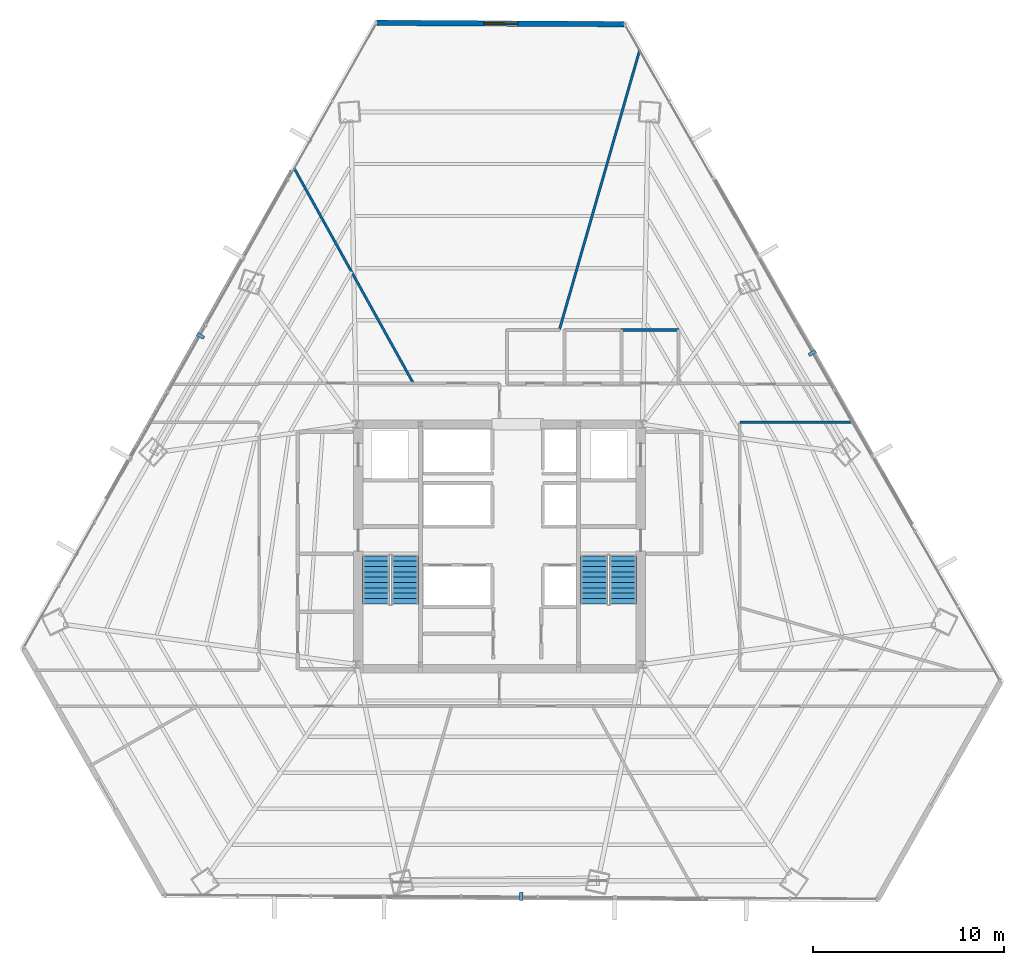
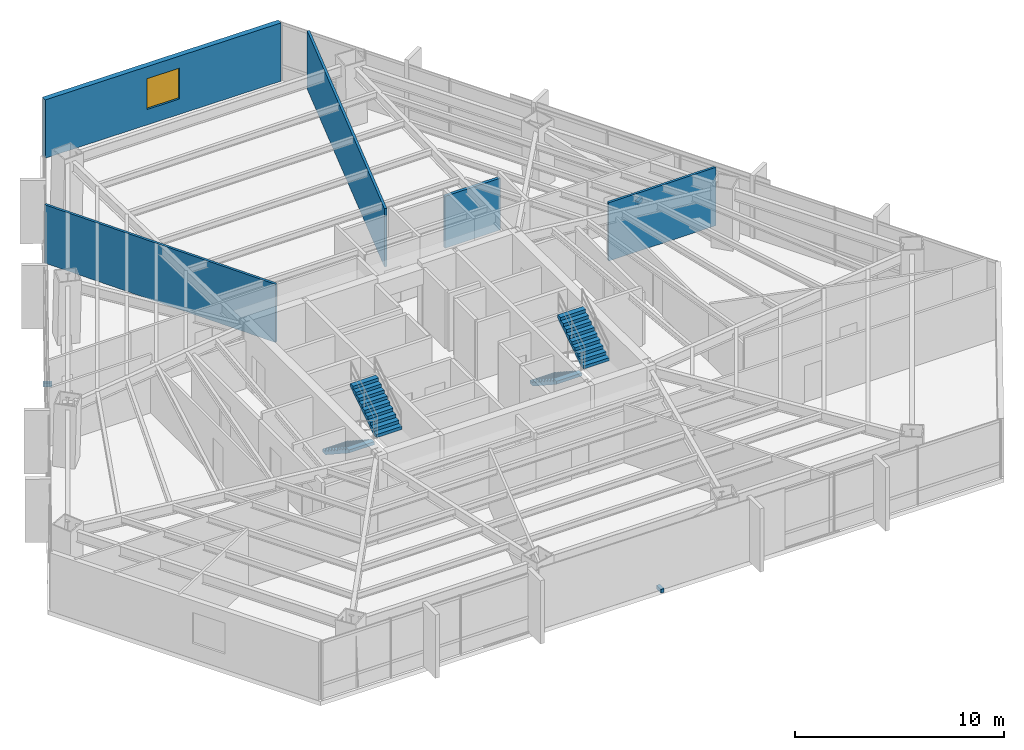
# One storey, part 32 of 35: 5 walls, 4 stair flights, 3 discrete accessories, 1 window, 1 opening, 2 elements without a shape of their own.
"""IFC4 building model written with IfcOpenShell, lengths in metres."""

from ifc_helpers import new_model, si_unit, direction, frame, frame_2d, origin, origin_2d, place, context, subcontext, project, spatial, polyline, rectangle, outline, extrude, source, transform, mapped, material, layer, layer_set, type_object, type_shapes, element, fill, aggregate, save


model = new_model("IFC4")

# Units and contexts
model_context = context("Model", 3, precision=1e-05, world=origin(), true_north=direction((0.0, 1.0)))
body_context = subcontext(model_context, "Body", "Model", "MODEL_VIEW")
ifc_project = project(units=[si_unit("LENGTHUNIT", "METRE"), si_unit("AREAUNIT", "SQUARE_METRE"), si_unit("VOLUMEUNIT", "CUBIC_METRE"), si_unit("PLANEANGLEUNIT", "RADIAN"), si_unit("MASSUNIT", "GRAM", prefix="KILO")], contexts=[model_context])

# Site, building, storey
site_placement = place(None, origin())
site = spatial("IfcSite", under=ifc_project, at=site_placement, CompositionType="ELEMENT")
building_placement = place(site_placement, origin())
building = spatial("IfcBuilding", under=site, at=building_placement, Name="Caelisora Broadcast Tower", CompositionType="ELEMENT")
storey_placement = place(building_placement, frame((0.0, 0.0, 87.14990234375)))
storey = spatial("IfcBuildingStorey", under=building, at=storey_placement, Name="L22", CompositionType="ELEMENT", Elevation=87.14990234375)

# Wall, opening, window
ifc_material_1 = material(Name="Insulated Terracotta Spandrel Wall System", Category="masonry")
ifc_layer_1 = layer(ifc_material_1, 0.280029296875, Name="Insulated Terracotta Spandrel Wall System")
ifc_layer_set_1 = layer_set([ifc_layer_1], Name="Insulated Terracotta Spandrel Wall System")
wall_type_1 = type_object("IfcWallType", Name="EW1", PredefinedType="STANDARD", material=ifc_layer_set_1)
wall_1_placement = place(storey_placement, frame((31.5849609375, 51.056884765625, 0.0), z_axis=(0.0, 0.0, 1.0), x_axis=(0.999984651897, -0.005540394385, 0.0)))
wall_1 = element("IfcWall", 1, at=wall_1_placement, inside=storey, type_object=wall_type_1, Name="L22 exterior envelope wall EW1", PredefinedType="STANDARD", context=body_context, shape_type="SweptSolid", body=[
    extrude(rectangle(XDim=12.955322265625, YDim=0.280029296875, at=frame_2d((6.4775390625, 0.0))), origin(), (0.0, 0.0, 1.0), 3.400146484375),
])
opening_placement = place(wall_1_placement, frame((5.580078125, 0.0, 0.89990234375)))
opening = element("IfcOpeningElement", 2, at=opening_placement, cuts=wall_1, Name="Opening W01", PredefinedType="OPENING", context=body_context, shape_type="SweptSolid", body=[
    extrude(rectangle(XDim=1.800048828125, YDim=1.800048828125, at=frame_2d((0.89990234375, 0.89990234375))), frame((0.0, 0.152099609375, 0.0), z_axis=(0.0, -1.0, 0.0), x_axis=(1.0, 0.0, 0.0)), (0.0, 0.0, 1.0), 0.303955078125),
])
ifc_material_2 = material(Name="Double Glazed Terracotta-Framed Vision Window", Category="glass")
window_type = type_object("IfcWindowType", Name="W01", PartitioningType="SINGLE_PANEL", PredefinedType="WINDOW", material=ifc_material_2)
window_placement = place(opening_placement, origin())
window = element("IfcWindow", 3, at=window_placement, inside=storey, type_object=window_type, Name="L22 window W01 (L22-WN-CH8)", OverallHeight=1.800048828125, OverallWidth=1.800048828125, PartitioningType="SINGLE_PANEL", PredefinedType="WINDOW", context=body_context, shape_type="SweptSolid", body=[
    extrude(rectangle(XDim=1.800048828125, YDim=1.800048828125, at=frame_2d((0.89990234375, 0.89990234375))), frame((0.0, 0.030029296875, 0.0), z_axis=(0.0, -1.0, 0.0), x_axis=(1.0, 0.0, 0.0)), (0.0, 0.0, 1.0), 0.06005859375),
])
fill(opening, window)

# Walls
ifc_material_3 = material(Name="Acoustic Steel-Stud Plasterboard Partition", Category="gypsum")
ifc_layer_2 = layer(ifc_material_3, 0.1298828125, Name="Acoustic Steel-Stud Plasterboard Partition")
ifc_layer_set_2 = layer_set([ifc_layer_2], Name="Acoustic Steel-Stud Plasterboard Partition")
wall_type_2 = type_object("IfcWallType", Name="PW3", PredefinedType="PARTITIONING", material=ifc_layer_set_2)
wall_2_placement = place(storey_placement, frame((41.14111328125, 34.955078125, 0.0), z_axis=(0.0, 0.0, 1.0), x_axis=(0.275853145279, 0.961199793092, 0.0)))
element("IfcWall", 4, at=wall_2_placement, inside=storey, type_object=wall_type_2, Name="L22 internal partition PW3", PredefinedType="PARTITIONING", context=body_context, shape_type="SweptSolid", body=[
    extrude(rectangle(XDim=15.26513671875, YDim=0.1298828125, at=frame_2d((7.632568359375, 0.0))), origin(), (0.0, 0.0, 1.0), 3.400146484375),
])
wall_3_placement = place(storey_placement, frame((27.23583984375, 43.419189453125, 0.0), z_axis=(0.0, 0.0, 1.0), x_axis=(0.484680146637, -0.874691463006, 0.0)))
element("IfcWall", 5, at=wall_3_placement, inside=storey, type_object=wall_type_2, Name="L22 internal partition PW3", PredefinedType="PARTITIONING", context=body_context, shape_type="SweptSolid", body=[
    extrude(rectangle(XDim=12.87890625, YDim=0.1298828125, at=frame_2d((6.439453125, 0.0))), origin(), (0.0, 0.0, 1.0), 3.400146484375),
])
wall_4_placement = place(storey_placement, frame((50.60498046875, 30.10009765625, 0.0), z_axis=(0.0, 0.0, 1.0), x_axis=(1.0, 0.0, 0.0)))
element("IfcWall", 6, at=wall_4_placement, inside=storey, type_object=wall_type_2, Name="L22 internal partition PW3", PredefinedType="PARTITIONING", context=body_context, shape_type="SweptSolid", body=[
    extrude(rectangle(XDim=5.91845703125, YDim=0.1298828125, at=frame_2d((2.959228515625, 0.0))), origin(), (0.0, 0.0, 1.0), 3.400146484375),
])
ifc_material_4 = material(Name="Moisture-Resistant Wet Plumbing Service Wall", Category="gypsum")
ifc_layer_3 = layer(ifc_material_4, 0.159912109375, Name="Moisture-Resistant Wet Plumbing Service Wall")
ifc_layer_set_3 = layer_set([ifc_layer_3], Name="Moisture-Resistant Wet Plumbing Service Wall")
wall_type_3 = type_object("IfcWallType", Name="PW4", PredefinedType="PLUMBINGWALL", material=ifc_layer_set_3)
wall_5_placement = place(storey_placement, frame((47.425048828125, 34.949951171875, 0.0), z_axis=(0.0, 0.0, 1.0), x_axis=(-1.0, 0.0, 0.0)))
element("IfcWall", 7, at=wall_5_placement, inside=storey, type_object=wall_type_3, Name="L22 wet plumbing wall PW4", PredefinedType="PLUMBINGWALL", context=body_context, shape_type="SweptSolid", body=[
    extrude(rectangle(XDim=3.050048828125, YDim=0.159912109375, at=frame_2d((1.52490234375, 0.0))), origin(), (0.0, 0.0, 1.0), 3.026611328125),
])

# Stair, stair flights
ifc_material_5 = material(Name="Concrete 40 MPa (AS 3600 N40)", Category="concrete")
stair_type_1 = type_object("IfcStairType", Name="ST-1", PredefinedType="HALF_TURN_STAIR", material=ifc_material_5)
stair_1_placement = place(storey_placement, origin())
stair_1 = element("IfcStair", 8, at=stair_1_placement, inside=storey, type_object=stair_type_1, Name="L22 West Fire-Isolated Tower Stair", PredefinedType="HALF_TURN_STAIR")
stair_flight_type = type_object("IfcStairFlightType", Name="STF-2", PredefinedType="STRAIGHT", material=ifc_material_5)
stair_flight_1_placement = place(storey_placement, frame((31.52001953125, 23.10009765625, 0.0), z_axis=(0.0, 0.0, 1.0), x_axis=(0.0, -1.0, 0.0)))
stair_flight_1 = element("IfcStairFlight", 9, at=stair_flight_1_placement, type_object=stair_flight_type, Name="ST-1 flight 1", NumberOfRisers=10, NumberOfTreads=9, PredefinedType="STRAIGHT", RiserHeight=0.1825, TreadLength=0.28, context=body_context, shape_type="SweptSolid", body=[
    extrude(outline(polyline([(0.0, 0.0), (0.0, 0.1826171875), (0.280029296875, 0.1826171875), (0.280029296875, 0.364990234375), (0.56005859375, 0.364990234375), (0.56005859375, 0.547607421875), (0.840087890625, 0.547607421875), (0.840087890625, 0.72998046875), (1.1201171875, 0.72998046875), (1.1201171875, 0.91259765625), (1.39990234375, 0.91259765625), (1.39990234375, 1.094970703125), (1.679931640625, 1.094970703125), (1.679931640625, 1.277587890625), (1.9599609375, 1.277587890625), (1.9599609375, 1.4599609375), (2.239990234375, 1.4599609375), (2.239990234375, 1.642578125), (2.52001953125, 1.642578125), (2.52001953125, 1.824951171875), (2.52001953125, 1.463623046875), (0.2744140625, 0.0), (0.0, 0.0)])), frame((0.0, 0.699951171875, 0.0), z_axis=(0.0, -1.0, 0.0), x_axis=(1.0, 0.0, 0.0)), (0.0, 0.0, 1.0), 1.39990234375),
])
stair_flight_2_placement = place(storey_placement, frame((33.0400390625, 20.580078125, 1.8251953125), z_axis=(0.0, 0.0, 1.0), x_axis=(0.0, 1.0, 0.0)))
stair_flight_2 = element("IfcStairFlight", 10, at=stair_flight_2_placement, type_object=stair_flight_type, Name="ST-1 flight 2", NumberOfRisers=10, NumberOfTreads=9, PredefinedType="STRAIGHT", RiserHeight=0.1825, TreadLength=0.28, context=body_context, shape_type="SweptSolid", body=[
    extrude(outline(polyline([(0.0, 0.0), (0.0, 0.1826171875), (0.280029296875, 0.1826171875), (0.280029296875, 0.364990234375), (0.56005859375, 0.364990234375), (0.56005859375, 0.547607421875), (0.840087890625, 0.547607421875), (0.840087890625, 0.72998046875), (1.1201171875, 0.72998046875), (1.1201171875, 0.91259765625), (1.39990234375, 0.91259765625), (1.39990234375, 1.094970703125), (1.679931640625, 1.094970703125), (1.679931640625, 1.277587890625), (1.9599609375, 1.277587890625), (1.9599609375, 1.4599609375), (2.239990234375, 1.4599609375), (2.239990234375, 1.642578125), (2.52001953125, 1.642578125), (2.52001953125, 1.824951171875), (2.52001953125, 1.463623046875), (0.2744140625, 0.0), (0.0, 0.0)])), frame((0.0, 0.699951171875, 0.0), z_axis=(0.0, -1.0, 0.0), x_axis=(1.0, 0.0, 0.0)), (0.0, 0.0, 1.0), 1.39990234375),
])
aggregate(stair_1, [stair_flight_1, stair_flight_2])

stair_type_2 = type_object("IfcStairType", Name="ST-2", PredefinedType="HALF_TURN_STAIR", material=ifc_material_5)
stair_2_placement = place(storey_placement, origin())
stair_2 = element("IfcStair", 11, at=stair_2_placement, inside=storey, type_object=stair_type_2, Name="L22 East Fire-Isolated Tower Stair", PredefinedType="HALF_TURN_STAIR")
stair_flight_3_placement = place(storey_placement, frame((42.9599609375, 23.10009765625, 0.0), z_axis=(0.0, 0.0, 1.0), x_axis=(0.0, -1.0, 0.0)))
stair_flight_3 = element("IfcStairFlight", 12, at=stair_flight_3_placement, type_object=stair_flight_type, Name="ST-2 flight 1", NumberOfRisers=10, NumberOfTreads=9, PredefinedType="STRAIGHT", RiserHeight=0.1825, TreadLength=0.28, context=body_context, shape_type="SweptSolid", body=[
    extrude(outline(polyline([(0.0, 0.0), (0.0, 0.1826171875), (0.280029296875, 0.1826171875), (0.280029296875, 0.364990234375), (0.56005859375, 0.364990234375), (0.56005859375, 0.547607421875), (0.840087890625, 0.547607421875), (0.840087890625, 0.72998046875), (1.1201171875, 0.72998046875), (1.1201171875, 0.91259765625), (1.39990234375, 0.91259765625), (1.39990234375, 1.094970703125), (1.679931640625, 1.094970703125), (1.679931640625, 1.277587890625), (1.9599609375, 1.277587890625), (1.9599609375, 1.4599609375), (2.239990234375, 1.4599609375), (2.239990234375, 1.642578125), (2.52001953125, 1.642578125), (2.52001953125, 1.824951171875), (2.52001953125, 1.463623046875), (0.2744140625, 0.0), (0.0, 0.0)])), frame((0.0, 0.699951171875, 0.0), z_axis=(0.0, -1.0, 0.0), x_axis=(1.0, 0.0, 0.0)), (0.0, 0.0, 1.0), 1.39990234375),
])
stair_flight_4_placement = place(storey_placement, frame((44.47998046875, 20.580078125, 1.8251953125), z_axis=(0.0, 0.0, 1.0), x_axis=(0.0, 1.0, 0.0)))
stair_flight_4 = element("IfcStairFlight", 13, at=stair_flight_4_placement, type_object=stair_flight_type, Name="ST-2 flight 2", NumberOfRisers=10, NumberOfTreads=9, PredefinedType="STRAIGHT", RiserHeight=0.1825, TreadLength=0.28, context=body_context, shape_type="SweptSolid", body=[
    extrude(outline(polyline([(0.0, 0.0), (0.0, 0.1826171875), (0.280029296875, 0.1826171875), (0.280029296875, 0.364990234375), (0.56005859375, 0.364990234375), (0.56005859375, 0.547607421875), (0.840087890625, 0.547607421875), (0.840087890625, 0.72998046875), (1.1201171875, 0.72998046875), (1.1201171875, 0.91259765625), (1.39990234375, 0.91259765625), (1.39990234375, 1.094970703125), (1.679931640625, 1.094970703125), (1.679931640625, 1.277587890625), (1.9599609375, 1.277587890625), (1.9599609375, 1.4599609375), (2.239990234375, 1.4599609375), (2.239990234375, 1.642578125), (2.52001953125, 1.642578125), (2.52001953125, 1.824951171875), (2.52001953125, 1.463623046875), (0.2744140625, 0.0), (0.0, 0.0)])), frame((0.0, 0.699951171875, 0.0), z_axis=(0.0, -1.0, 0.0), x_axis=(1.0, 0.0, 0.0)), (0.0, 0.0, 1.0), 1.39990234375),
])
aggregate(stair_2, [stair_flight_3, stair_flight_4])

# Discrete accessories
ifc_material_6 = material(Name="Steel Grade 350 (AS/NZS 3679.1)", Category="steel")
discrete_accessory_type = type_object("IfcDiscreteAccessoryType", Name="BRK-1", PredefinedType="BRACKET", material=ifc_material_6)
shared_shape = source(origin(), body_context, "Body", "SweptSolid", [
    extrude(rectangle(XDim=0.179931640625, YDim=0.419921875, at=origin_2d()), origin(), (0.0, 0.0, 1.0), 0.219970703125),
])
type_shapes(discrete_accessory_type, [shared_shape])
for number, where, z_axis, x_axis, name in (
    (14, (22.314697265625, 34.635498046875, -0.15966796875), (0.0, 0.0, 1.0), (-0.49181581725, -0.870699260309, 0.0), "L22 solar screen outrigger bracket #1"),
    (15, (39.133056640625, 5.23388671875, -0.15966796875), (0.0, 0.0, 1.0), (0.999985363169, -0.005410494284, 0.0), "L22 solar screen outrigger bracket #2"),
    (16, (54.4033203125, 33.735595703125, -0.15966796875), (0.0, 0.0, 1.0), (-0.496519531995, 0.868025549363, 0.0), "L22 solar screen outrigger bracket #3"),
):
    element("IfcDiscreteAccessory", number, at=place(storey_placement, frame(where, z_axis=z_axis, x_axis=x_axis)), inside=storey, type_object=discrete_accessory_type, Name=name, PredefinedType="BRACKET", context=body_context, shape_type="MappedRepresentation", body=[
        mapped(shared_shape, transform((0.0, 0.0, 0.0), scale=1.0)),
    ])

save(model, "model.ifc")
